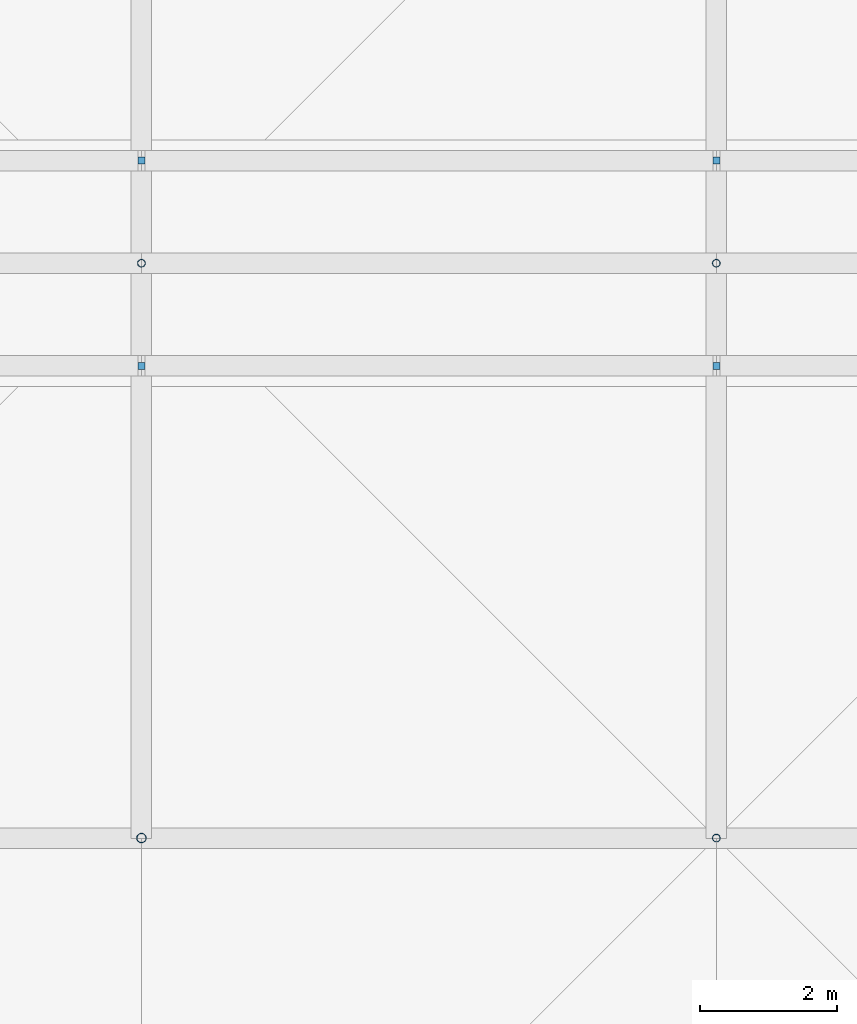
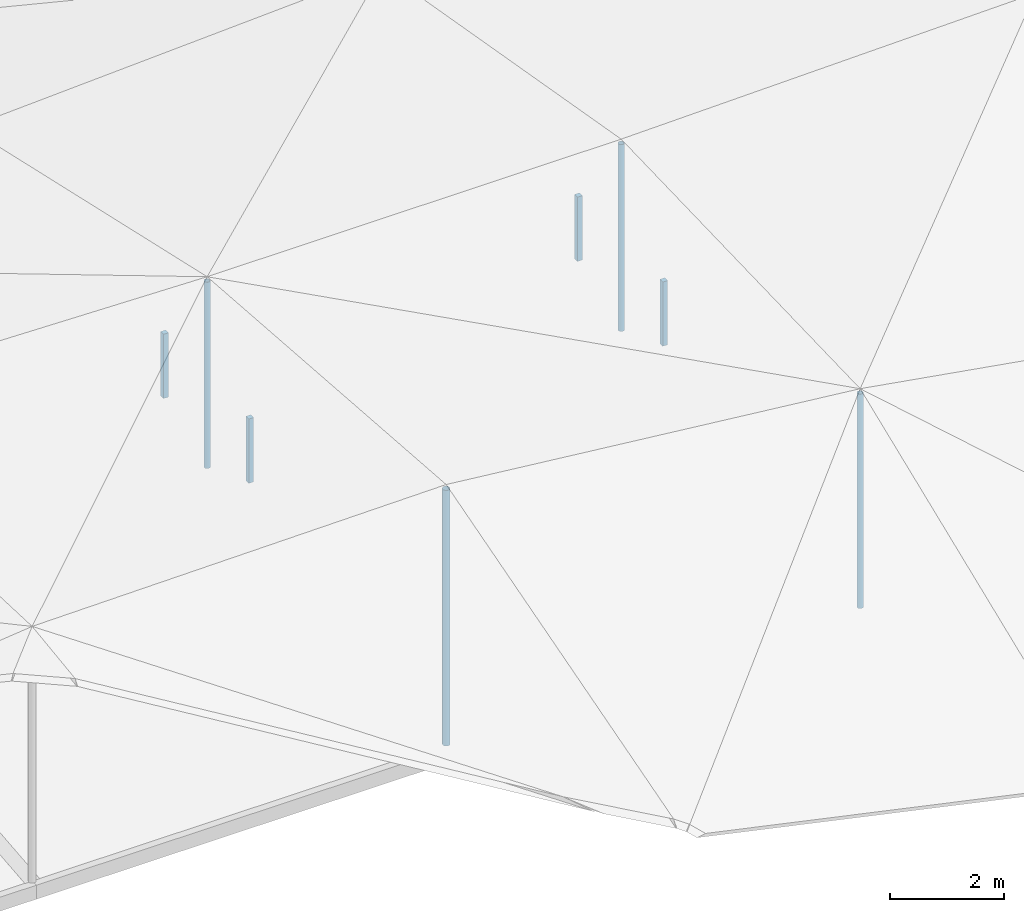
# One storey, part 33 of 46: 8 discrete accessories.
"""IFC4 building model written with IfcOpenShell, lengths in metres."""

from ifc_helpers import new_model, si_unit, direction, frame, origin, origin_2d, place, context, subcontext, project, spatial, rectangle, hollow_circle, extrude, material, layer, layer_set, material_profile, profile_set, type_object, element, save


model = new_model("IFC4")

# Units and contexts
model_context = context("Model", 3, precision=1e-05, world=origin(), true_north=direction((0.0, 1.0)))
body_context = subcontext(model_context, "Body", "Model", "MODEL_VIEW")
ifc_project = project(units=[si_unit("LENGTHUNIT", "METRE"), si_unit("AREAUNIT", "SQUARE_METRE"), si_unit("VOLUMEUNIT", "CUBIC_METRE"), si_unit("PLANEANGLEUNIT", "RADIAN"), si_unit("MASSUNIT", "GRAM", prefix="KILO")], contexts=[model_context])

# Site, building, storey
site_placement = place(None, origin())
site = spatial("IfcSite", under=ifc_project, at=site_placement, CompositionType="ELEMENT")
building_placement = place(site_placement, origin())
building = spatial("IfcBuilding", under=site, at=building_placement, Name="Rain Tree Exposition and Congress Centre", CompositionType="ELEMENT")
storey_placement = place(building_placement, frame((0.0, 0.0, 27.0)))
storey = spatial("IfcBuildingStorey", under=building, at=storey_placement, Name="ROOF VAULT CREST", CompositionType="ELEMENT", Elevation=27.0)

# Discrete accessories
ifc_material_1 = material(Name="Steel S355J2", Category="steel")
ifc_layer = layer(ifc_material_1, 0.10009765625)
ifc_layer_set = layer_set([ifc_layer], Name="Steel S355J2")
discrete_accessory_type_1 = type_object("IfcDiscreteAccessoryType", Name="Ridge lantern post 100", PredefinedType="BRACKET", material=ifc_layer_set)
for number, where, z_axis, x_axis, name in (
    (1, (218.39990234375, 174.89990234375, 2.0), (0.0, 0.0, 1.0), (1.0, 0.0, 0.0), "Lantern post SR1-9"),
    (2, (226.800048828125, 174.89990234375, 2.0), (0.0, 0.0, 1.0), (1.0, 0.0, 0.0), "Lantern post SR1-10"),
    (3, (218.39990234375, 177.89990234375, 2.0), (0.0, 0.0, 1.0), (1.0, 0.0, 0.0), "Lantern post NR1-9"),
    (4, (226.800048828125, 177.89990234375, 2.0), (0.0, 0.0, 1.0), (1.0, 0.0, 0.0), "Lantern post NR1-10"),
):
    element("IfcDiscreteAccessory", number, at=place(storey_placement, frame(where, z_axis=z_axis, x_axis=x_axis)), inside=storey, type_object=discrete_accessory_type_1, Name=name, PredefinedType="BRACKET", context=body_context, shape_type="SweptSolid", body=[
        extrude(rectangle(XDim=0.10009765625, YDim=0.10009765625, at=origin_2d()), origin(), (0.0, 0.0, 1.0), 1.3798828125),
    ])
ifc_material_2 = material(Name="Steel S355J2H", Category="steel")
ifc_material_profile_1 = material_profile(ifc_material_2, hollow_circle(Radius=0.05712890625, WallThickness=0.00439453125, at=origin_2d()), Name="CHS 114x4.5")
ifc_profile_set_1 = profile_set([ifc_material_profile_1], Name="Steel S355J2H")
discrete_accessory_type_2 = type_object("IfcDiscreteAccessoryType", Name="Roof skin post CHS 114x4.5", PredefinedType="BRACKET", material=ifc_profile_set_1)
discrete_accessory_1_placement = place(storey_placement, frame((226.800048828125, 168.0, 0.551025390625), z_axis=(0.0, 0.0, 1.0), x_axis=(1.0, 0.0, 0.0)))
element("IfcDiscreteAccessory", 5, at=discrete_accessory_1_placement, inside=storey, type_object=discrete_accessory_type_2, Name="Roof skin post B115", PredefinedType="BRACKET", context=body_context, shape_type="SweptSolid", body=[
    extrude(hollow_circle(Radius=0.05712890625, WallThickness=0.00439453125, at=origin_2d()), origin(), (0.0, 0.0, 1.0), 4.59765625),
])
discrete_accessory_2_placement = place(storey_placement, frame((218.39990234375, 176.39990234375, 1.39990234375), z_axis=(0.0, 0.0, 1.0), x_axis=(1.0, 0.0, 0.0)))
element("IfcDiscreteAccessory", 6, at=discrete_accessory_2_placement, inside=storey, type_object=discrete_accessory_type_2, Name="Roof skin post B127", PredefinedType="BRACKET", context=body_context, shape_type="SweptSolid", body=[
    extrude(hollow_circle(Radius=0.05712890625, WallThickness=0.00439453125, at=origin_2d()), origin(), (0.0, 0.0, 1.0), 3.997802734375),
])
discrete_accessory_3_placement = place(storey_placement, frame((226.800048828125, 176.39990234375, 1.39990234375), z_axis=(0.0, 0.0, 1.0), x_axis=(1.0, 0.0, 0.0)))
element("IfcDiscreteAccessory", 7, at=discrete_accessory_3_placement, inside=storey, type_object=discrete_accessory_type_2, Name="Roof skin post B128", PredefinedType="BRACKET", context=body_context, shape_type="SweptSolid", body=[
    extrude(hollow_circle(Radius=0.05712890625, WallThickness=0.00439453125, at=origin_2d()), origin(), (0.0, 0.0, 1.0), 4.008056640625),
])
ifc_material_3 = material(Name="Steel S355J2H", Category="steel")
ifc_material_profile_2 = material_profile(ifc_material_3, hollow_circle(Radius=0.06982421875, WallThickness=0.0048828125, at=origin_2d()), Name="CHS 140x5")
ifc_profile_set_2 = profile_set([ifc_material_profile_2], Name="Steel S355J2H")
discrete_accessory_type_3 = type_object("IfcDiscreteAccessoryType", Name="Roof skin post CHS 140x5", PredefinedType="BRACKET", material=ifc_profile_set_2)
discrete_accessory_4_placement = place(storey_placement, frame((218.39990234375, 168.0, 0.551025390625), z_axis=(0.0, 0.0, 1.0), x_axis=(1.0, 0.0, 0.0)))
element("IfcDiscreteAccessory", 8, at=discrete_accessory_4_placement, inside=storey, type_object=discrete_accessory_type_3, Name="Roof skin post B114", PredefinedType="BRACKET", context=body_context, shape_type="SweptSolid", body=[
    extrude(hollow_circle(Radius=0.06982421875, WallThickness=0.0048828125, at=origin_2d()), origin(), (0.0, 0.0, 1.0), 5.48291015625),
])

save(model, "model.ifc")
